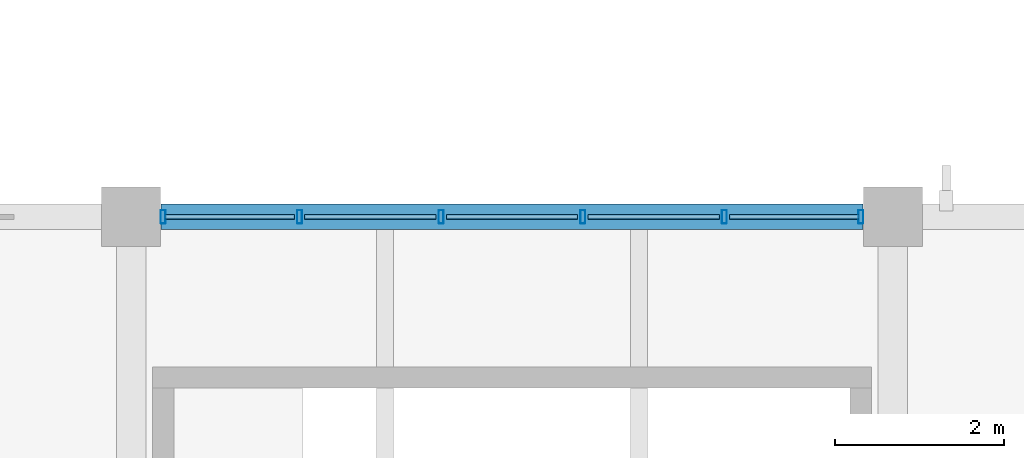
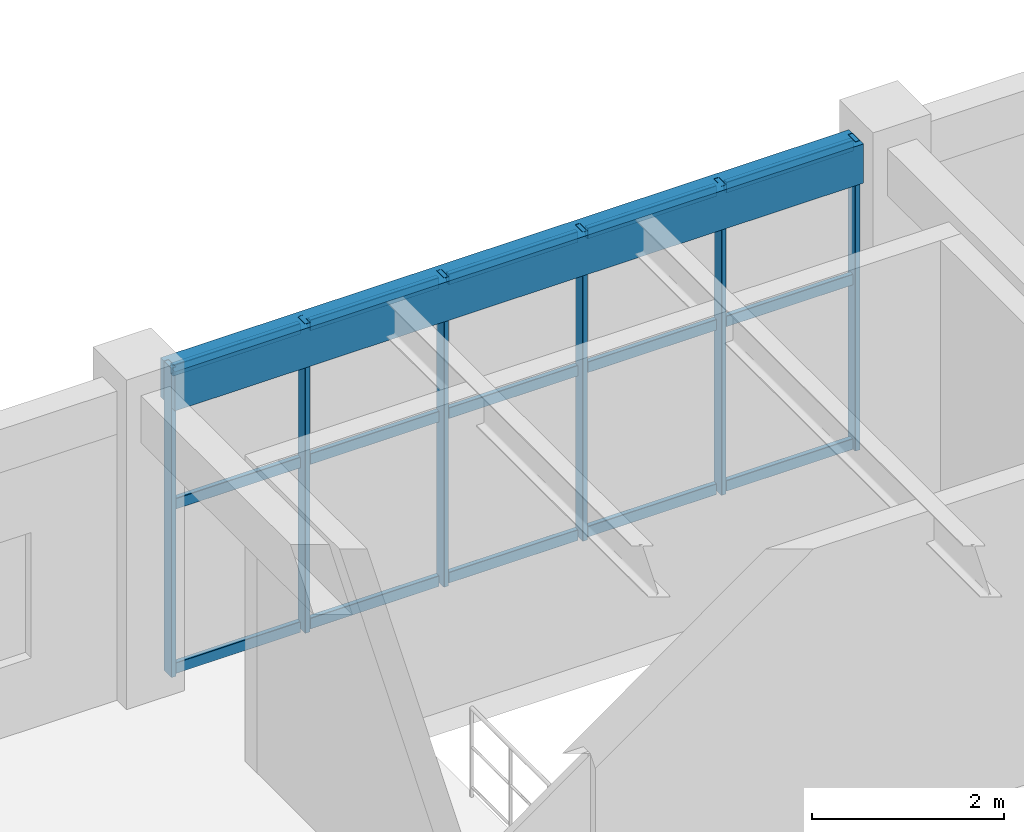
# One storey, part 64 of 128: 21 members, 1 beam, 1 element without a shape of its own.
"""IFC4 building model written with IfcOpenShell, lengths in metres."""

import ifcopenshell
import ifcopenshell.guid

model = None  # the IFC model being written
_history = None  # IfcOwnerHistory: only IFC2X3 demands one
_inside = {}  # id of a spatial element -> (the spatial element, [elements in it])
_under = {}  # id of a project, library or spatial element -> (it, [spatial elements below it])
_declared = {}  # id of a project -> (the project, [libraries it declares])
_typed = {}  # id of a type object -> (the type object, [elements of that type])
_made_of = {}  # id of a material, layer set ... -> (it, [elements and type objects made of it])


def new_model(schema):
    """Start an empty IFC model of exactly this schema.

    Asked for "IFC4X3", IfcOpenShell would pick the latest addendum, in which some entities
    have other attributes; the version numbers below select the first issue.
    IFC2X3 requires an IfcOwnerHistory on every rooted entity: one is made here for all.
    """
    global model, _history
    if schema == "IFC4X3":
        model = ifcopenshell.file(schema_version=(4, 3, 0, 0))
    else:
        model = ifcopenshell.file(schema=schema)
    _inside.clear()
    _under.clear()
    _declared.clear()
    _typed.clear()
    _made_of.clear()
    _history = None
    if model.schema == "IFC2X3":
        org = make("IfcOrganization", Name="unknown")
        user = make(
            "IfcPersonAndOrganization",
            ThePerson=make("IfcPerson", FamilyName="unknown"),
            TheOrganization=org,
        )
        app = make(
            "IfcApplication",
            ApplicationDeveloper=org,
            Version="unknown",
            ApplicationFullName="unknown",
            ApplicationIdentifier="unknown",
        )
        _history = make(
            "IfcOwnerHistory",
            OwningUser=user,
            OwningApplication=app,
            ChangeAction="ADDED",
            CreationDate=0,
        )
    return model


def make(cls, **values):
    """One entity of the class cls with the attributes given. An attribute that is None is left unset."""
    return model.create_entity(
        cls, **{name: value for name, value in values.items() if value is not None}
    )


def rooted(cls, **values):
    """An entity with a GlobalId (a new one), such as an element, a storey or a relation."""
    return make(cls, GlobalId=ifcopenshell.guid.new(), OwnerHistory=_history, **values)


def si_unit(unit_type, name, prefix=None):
    """IfcSIUnit, for example si_unit("LENGTHUNIT", "METRE", prefix="MILLI")."""
    return make("IfcSIUnit", UnitType=unit_type, Prefix=prefix, Name=name)


def derived_unit(unit_type, elements):
    """IfcDerivedUnit: a product of units, each with its exponent."""
    return make(
        "IfcDerivedUnit",
        Elements=[
            make("IfcDerivedUnitElement", Unit=unit, Exponent=power)
            for unit, power in elements
        ],
        UnitType=unit_type,
    )


def assignment(units):
    """IfcUnitAssignment: the units of a project."""
    return None if units is None else make("IfcUnitAssignment", Units=units)


def point(xyz):
    """IfcCartesianPoint."""
    return None if xyz is None else make("IfcCartesianPoint", Coordinates=xyz)


def direction(xyz):
    """IfcDirection."""
    return None if xyz is None else make("IfcDirection", DirectionRatios=xyz)


def frame(location, z_axis=None, x_axis=None):
    """IfcAxis2Placement3D, a coordinate frame: its origin and axes. An axis left out is left unset."""
    return make(
        "IfcAxis2Placement3D",
        Location=point(location),
        Axis=direction(z_axis),
        RefDirection=direction(x_axis),
    )


def frame_2d(location, x_axis=None):
    """IfcAxis2Placement2D, a coordinate frame in the plane: its origin and x axis."""
    return make(
        "IfcAxis2Placement2D", Location=point(location), RefDirection=direction(x_axis)
    )


def origin():
    """The frame at (0, 0, 0) with its axes left unset."""
    return frame((0.0, 0.0, 0.0))


def origin_2d():
    """The frame at (0, 0) in the plane with its x axis left unset."""
    return frame_2d((0.0, 0.0))


def place(relative_to, where):
    """IfcLocalPlacement: puts the frame where relative to a parent placement (None: the world)."""
    return make(
        "IfcLocalPlacement", PlacementRelTo=relative_to, RelativePlacement=where
    )


def context(
    kind, dimensions, precision=None, world=None, true_north=None, identifier=None
):
    """IfcGeometricRepresentationContext, for example the 3D "Model" context."""
    return make(
        "IfcGeometricRepresentationContext",
        ContextIdentifier=identifier,
        ContextType=kind,
        CoordinateSpaceDimension=dimensions,
        Precision=precision,
        WorldCoordinateSystem=world,
        TrueNorth=true_north,
    )


def subcontext(parent, identifier, kind, view, scale=None):
    """IfcGeometricRepresentationSubContext, for example "Body" below "Model"."""
    return make(
        "IfcGeometricRepresentationSubContext",
        ContextIdentifier=identifier,
        ContextType=kind,
        ParentContext=parent,
        TargetScale=scale,
        TargetView=view,
    )


def project(units=None, contexts=None):
    """IfcProject with its units and contexts."""
    return rooted(
        "IfcProject",
        Name="project",
        RepresentationContexts=contexts,
        UnitsInContext=assignment(units),
    )


def spatial(cls, under=None, at=None, **own):
    """A site, building, storey or space (cls), placed at a placement, below another one or the project."""
    s = rooted(cls, ObjectPlacement=at, **own)
    if under is not None:
        _under.setdefault(under.id(), (under, []))[1].append(s)
    return s


def profile(cls, at=None, kind="AREA", **sizes):
    """A parametric profile (cls). Its sizes go by their IFC names, for example OverallWidth=200.0."""
    return make(cls, ProfileType=kind, Position=at, **sizes)


def rectangle(**sizes):
    """IfcRectangleProfileDef."""
    return profile("IfcRectangleProfileDef", **sizes)


def hollow_rectangle(**sizes):
    """IfcRectangleHollowProfileDef."""
    return profile("IfcRectangleHollowProfileDef", **sizes)


def extrude(swept, where, along, depth):
    """IfcExtrudedAreaSolid: the profile swept, set in the frame where, extruded along a direction by depth."""
    return make(
        "IfcExtrudedAreaSolid",
        SweptArea=swept,
        Position=where,
        ExtrudedDirection=direction(along),
        Depth=depth,
    )


def shape(context_of_items, identifier, shape_type, items):
    """IfcShapeRepresentation: the items that make up one representation, for example the "Body"."""
    return make(
        "IfcShapeRepresentation",
        ContextOfItems=context_of_items,
        RepresentationIdentifier=identifier,
        RepresentationType=shape_type,
        Items=items,
    )


def material(Name=None, Category=None):
    """IfcMaterial."""
    return make("IfcMaterial", Name=Name, Category=Category)


def material_profile(
    of_material, cross_section, Name=None, Category=None, Priority=None
):
    """IfcMaterialProfile: a cross section and its material."""
    return make(
        "IfcMaterialProfile",
        Name=Name,
        Material=of_material,
        Profile=cross_section,
        Priority=Priority,
        Category=Category,
    )


def profile_set(profiles, Name=None, composite=None):
    """IfcMaterialProfileSet."""
    return make(
        "IfcMaterialProfileSet",
        Name=Name,
        MaterialProfiles=profiles,
        CompositeProfile=composite,
    )


def made_of(thing, what):
    """Note that an element or type object is made of a material, layer set ...; save() writes the relation."""
    if what is not None:
        _made_of.setdefault(what.id(), (what, []))[1].append(thing)
    return thing


def type_object(cls, material=None, **own):
    """A type object (cls), such as IfcWallType, which elements share."""
    return made_of(rooted(cls, **own), material)


def element(
    cls,
    number,
    at=None,
    inside=None,
    cuts=None,
    type_object=None,
    material=None,
    context=None,
    identifier="Body",
    shape_type=None,
    held_by="IfcProductDefinitionShape",
    body=None,
    shapes=None,
    **own,
):
    """One element of the class cls, such as IfcWall. Its Tag is "e" and its number.

    at: its placement. inside: the storey or other place that contains it. cuts: it is an
    opening in that element (IfcRelVoidsElement). A single representation is given by context,
    identifier, shape_type and body (its items); several are given by shapes. held_by: the class
    of the entity that holds the representations. save() writes the other relations.
    """
    e = rooted(cls, Tag="e%d" % number, ObjectPlacement=at, **own)
    if body is not None:
        shapes = [shape(context, identifier, shape_type, body)]
    if shapes is not None:
        e.Representation = make(held_by, Representations=shapes)
    if inside is not None:
        _inside.setdefault(inside.id(), (inside, []))[1].append(e)
    if cuts is not None:
        rooted(
            "IfcRelVoidsElement", RelatingBuildingElement=cuts, RelatedOpeningElement=e
        )
    if type_object is not None:
        _typed.setdefault(type_object.id(), (type_object, []))[1].append(e)
    return made_of(e, material)


def aggregate(whole, parts):
    """IfcRelAggregates: a whole, such as a stair, and the parts it consists of."""
    return rooted("IfcRelAggregates", RelatingObject=whole, RelatedObjects=parts)


def save(model, path):
    """Write the relations noted so far, then the file.

    IfcRelAggregates (storeys below a building ...), IfcRelContainedInSpatialStructure (elements
    in a storey), IfcRelDefinesByType, IfcRelAssociatesMaterial and IfcRelDeclares: one each for
    every whole, place, type object, material and project.
    """
    for whole, parts in _under.values():
        aggregate(whole, parts)
    for where, things in _inside.values():
        rooted(
            "IfcRelContainedInSpatialStructure",
            RelatedElements=things,
            RelatingStructure=where,
        )
    for kind, things in _typed.values():
        rooted("IfcRelDefinesByType", RelatedObjects=things, RelatingType=kind)
    for what, things in _made_of.values():
        rooted("IfcRelAssociatesMaterial", RelatedObjects=things, RelatingMaterial=what)
    for by, libraries in _declared.values():
        rooted("IfcRelDeclares", RelatingContext=by, RelatedDefinitions=libraries)
    model.write(path)


model = new_model("IFC4")

# Units and contexts
model_context = context("Model", 3, precision=1e-05, world=origin(), true_north=direction((0.0, 1.0)))
body_context = subcontext(model_context, "Body", "Model", "MODEL_VIEW")
ifc_project = project(units=[si_unit("LENGTHUNIT", "METRE"), si_unit("AREAUNIT", "SQUARE_METRE"), si_unit("VOLUMEUNIT", "CUBIC_METRE"), si_unit("PLANEANGLEUNIT", "RADIAN"), si_unit("MASSUNIT", "GRAM", prefix="KILO"), derived_unit("THERMALTRANSMITTANCEUNIT", [(si_unit("MASSUNIT", "GRAM", prefix="KILO"), 1), (si_unit("TIMEUNIT", "SECOND"), -3), (si_unit("THERMODYNAMICTEMPERATUREUNIT", "KELVIN"), -1)])], contexts=[model_context])

# Site, building, storey
site_placement = place(None, origin())
site = spatial("IfcSite", under=ifc_project, at=site_placement, CompositionType="ELEMENT")
building_placement = place(site_placement, origin())
building = spatial("IfcBuilding", under=site, at=building_placement, Name="Zhenchuan Archway Interchange", CompositionType="ELEMENT")
storey_placement = place(building_placement, frame((0.0, 0.0, 14.39990234375)))
storey = spatial("IfcBuildingStorey", under=building, at=storey_placement, Name="L03", CompositionType="ELEMENT", Elevation=14.39990234375)

# Curtain wall, members
ifc_material_1 = material(Name="Anodised Aluminium", Category="aluminium")
curtain_wall_type = type_object("IfcCurtainWallType", Name="CW_UNIT_4", PredefinedType="NOTDEFINED", material=ifc_material_1)
curtain_wall_placement = place(storey_placement, origin())
curtain_wall = element("IfcCurtainWall", 1, at=curtain_wall_placement, inside=storey, type_object=curtain_wall_type, Name="Unitised curtain wall CW:L03:175", PredefinedType="NOTDEFINED")
ifc_material_profile_1 = material_profile(ifc_material_1, hollow_rectangle(XDim=0.06005859375, YDim=0.159912109375, WallThickness=0.00390625, InnerFilletRadius=0.00390625, OuterFilletRadius=0.008056640625, at=origin_2d()), Name="ALU 160x60x4")
ifc_profile_set_1 = profile_set([ifc_material_profile_1], Name="Anodised Aluminium")
member_type_1 = type_object("IfcMemberType", Name="CW_MUL_150", PredefinedType="MULLION", material=ifc_profile_set_1)
member_1_placement = place(storey_placement, frame((117.3779296875, 104.0, 0.0), z_axis=(0.0, 0.0, 1.0), x_axis=(1.0, 0.0, 0.0)))
member_1 = element("IfcMember", 2, at=member_1_placement, type_object=member_type_1, Name="CW:L03:175 mullion 0", PredefinedType="MULLION", context=body_context, shape_type="SweptSolid", body=[
    extrude(hollow_rectangle(XDim=0.06005859375, YDim=0.159912109375, WallThickness=0.00390625, InnerFilletRadius=0.00390625, OuterFilletRadius=0.008056640625, at=origin_2d()), origin(), (0.0, 0.0, 1.0), 3.940185546875),
])
member_2_placement = place(storey_placement, frame((118.99072265625, 104.0, 0.0), z_axis=(0.0, 0.0, 1.0), x_axis=(1.0, 0.0, 0.0)))
member_2 = element("IfcMember", 3, at=member_2_placement, type_object=member_type_1, Name="CW:L03:175 mullion 1", PredefinedType="MULLION", context=body_context, shape_type="SweptSolid", body=[
    extrude(hollow_rectangle(XDim=0.06005859375, YDim=0.159912109375, WallThickness=0.00390625, InnerFilletRadius=0.00390625, OuterFilletRadius=0.008056640625, at=origin_2d()), origin(), (0.0, 0.0, 1.0), 3.940185546875),
])
member_3_placement = place(storey_placement, frame((120.66357421875, 104.0, 0.0), z_axis=(0.0, 0.0, 1.0), x_axis=(1.0, 0.0, 0.0)))
member_3 = element("IfcMember", 4, at=member_3_placement, type_object=member_type_1, Name="CW:L03:175 mullion 2", PredefinedType="MULLION", context=body_context, shape_type="SweptSolid", body=[
    extrude(hollow_rectangle(XDim=0.06005859375, YDim=0.159912109375, WallThickness=0.00390625, InnerFilletRadius=0.00390625, OuterFilletRadius=0.008056640625, at=origin_2d()), origin(), (0.0, 0.0, 1.0), 3.940185546875),
])
member_4_placement = place(storey_placement, frame((122.33642578125, 104.0, 0.0), z_axis=(0.0, 0.0, 1.0), x_axis=(1.0, 0.0, 0.0)))
member_4 = element("IfcMember", 5, at=member_4_placement, type_object=member_type_1, Name="CW:L03:175 mullion 3", PredefinedType="MULLION", context=body_context, shape_type="SweptSolid", body=[
    extrude(hollow_rectangle(XDim=0.06005859375, YDim=0.159912109375, WallThickness=0.00390625, InnerFilletRadius=0.00390625, OuterFilletRadius=0.008056640625, at=origin_2d()), origin(), (0.0, 0.0, 1.0), 3.940185546875),
])
member_5_placement = place(storey_placement, frame((124.00927734375, 104.0, 0.0), z_axis=(0.0, 0.0, 1.0), x_axis=(1.0, 0.0, 0.0)))
member_5 = element("IfcMember", 6, at=member_5_placement, type_object=member_type_1, Name="CW:L03:175 mullion 4", PredefinedType="MULLION", context=body_context, shape_type="SweptSolid", body=[
    extrude(hollow_rectangle(XDim=0.06005859375, YDim=0.159912109375, WallThickness=0.00390625, InnerFilletRadius=0.00390625, OuterFilletRadius=0.008056640625, at=origin_2d()), origin(), (0.0, 0.0, 1.0), 3.940185546875),
])
member_6_placement = place(storey_placement, frame((125.6220703125, 104.0, 0.0), z_axis=(0.0, 0.0, 1.0), x_axis=(1.0, 0.0, 0.0)))
member_6 = element("IfcMember", 7, at=member_6_placement, type_object=member_type_1, Name="CW:L03:175 mullion 5", PredefinedType="MULLION", context=body_context, shape_type="SweptSolid", body=[
    extrude(hollow_rectangle(XDim=0.06005859375, YDim=0.159912109375, WallThickness=0.00390625, InnerFilletRadius=0.00390625, OuterFilletRadius=0.008056640625, at=origin_2d()), origin(), (0.0, 0.0, 1.0), 3.940185546875),
])
ifc_material_profile_2 = material_profile(ifc_material_1, hollow_rectangle(XDim=0.06005859375, YDim=0.139892578125, WallThickness=0.00341796875, InnerFilletRadius=0.00341796875, OuterFilletRadius=0.007080078125, at=origin_2d()), Name="ALU 140x60x3.5")
ifc_profile_set_2 = profile_set([ifc_material_profile_2], Name="Anodised Aluminium")
member_type_2 = type_object("IfcMemberType", Name="CW_TRN_140", PredefinedType="USERDEFINED", material=ifc_profile_set_2)
member_7_placement = place(storey_placement, frame((117.39794921875, 104.0, 0.06005859375), z_axis=(1.0, 0.0, 0.0), x_axis=(0.0, 1.0, 0.0)))
member_7 = element("IfcMember", 8, at=member_7_placement, type_object=member_type_2, Name="CW:L03:175 transom 0-1", ObjectType="TRANSOM", PredefinedType="USERDEFINED", context=body_context, shape_type="SweptSolid", body=[
    extrude(hollow_rectangle(XDim=0.06005859375, YDim=0.139892578125, WallThickness=0.00341796875, InnerFilletRadius=0.00341796875, OuterFilletRadius=0.007080078125, at=origin_2d()), origin(), (0.0, 0.0, 1.0), 1.532958984375),
])
member_8_placement = place(storey_placement, frame((117.39794921875, 104.0, 2.156005859375), z_axis=(1.0, 0.0, 0.0), x_axis=(0.0, 1.0, 0.0)))
member_8 = element("IfcMember", 9, at=member_8_placement, type_object=member_type_2, Name="CW:L03:175 transom 0-2", ObjectType="TRANSOM", PredefinedType="USERDEFINED", context=body_context, shape_type="SweptSolid", body=[
    extrude(hollow_rectangle(XDim=0.06005859375, YDim=0.139892578125, WallThickness=0.00341796875, InnerFilletRadius=0.00341796875, OuterFilletRadius=0.007080078125, at=origin_2d()), origin(), (0.0, 0.0, 1.0), 1.532958984375),
])
member_9_placement = place(storey_placement, frame((117.39794921875, 104.0, 3.860107421875), z_axis=(1.0, 0.0, 0.0), x_axis=(0.0, 1.0, 0.0)))
member_9 = element("IfcMember", 10, at=member_9_placement, type_object=member_type_2, Name="CW:L03:175 transom 0-3", ObjectType="TRANSOM", PredefinedType="USERDEFINED", context=body_context, shape_type="SweptSolid", body=[
    extrude(hollow_rectangle(XDim=0.06005859375, YDim=0.139892578125, WallThickness=0.00341796875, InnerFilletRadius=0.00341796875, OuterFilletRadius=0.007080078125, at=origin_2d()), origin(), (0.0, 0.0, 1.0), 1.532958984375),
])
member_10_placement = place(storey_placement, frame((119.05078125, 104.0, 0.06005859375), z_axis=(1.0, 0.0, 0.0), x_axis=(0.0, 1.0, 0.0)))
member_10 = element("IfcMember", 11, at=member_10_placement, type_object=member_type_2, Name="CW:L03:175 transom 1-1", ObjectType="TRANSOM", PredefinedType="USERDEFINED", context=body_context, shape_type="SweptSolid", body=[
    extrude(hollow_rectangle(XDim=0.06005859375, YDim=0.139892578125, WallThickness=0.00341796875, InnerFilletRadius=0.00341796875, OuterFilletRadius=0.007080078125, at=origin_2d()), origin(), (0.0, 0.0, 1.0), 1.552734375),
])
member_11_placement = place(storey_placement, frame((119.05078125, 104.0, 2.156005859375), z_axis=(1.0, 0.0, 0.0), x_axis=(0.0, 1.0, 0.0)))
member_11 = element("IfcMember", 12, at=member_11_placement, type_object=member_type_2, Name="CW:L03:175 transom 1-2", ObjectType="TRANSOM", PredefinedType="USERDEFINED", context=body_context, shape_type="SweptSolid", body=[
    extrude(hollow_rectangle(XDim=0.06005859375, YDim=0.139892578125, WallThickness=0.00341796875, InnerFilletRadius=0.00341796875, OuterFilletRadius=0.007080078125, at=origin_2d()), origin(), (0.0, 0.0, 1.0), 1.552734375),
])
member_12_placement = place(storey_placement, frame((119.05078125, 104.0, 3.860107421875), z_axis=(1.0, 0.0, 0.0), x_axis=(0.0, 1.0, 0.0)))
member_12 = element("IfcMember", 13, at=member_12_placement, type_object=member_type_2, Name="CW:L03:175 transom 1-3", ObjectType="TRANSOM", PredefinedType="USERDEFINED", context=body_context, shape_type="SweptSolid", body=[
    extrude(hollow_rectangle(XDim=0.06005859375, YDim=0.139892578125, WallThickness=0.00341796875, InnerFilletRadius=0.00341796875, OuterFilletRadius=0.007080078125, at=origin_2d()), origin(), (0.0, 0.0, 1.0), 1.552734375),
])
member_13_placement = place(storey_placement, frame((120.7236328125, 104.0, 0.06005859375), z_axis=(1.0, 0.0, 0.0), x_axis=(0.0, 1.0, 0.0)))
member_13 = element("IfcMember", 14, at=member_13_placement, type_object=member_type_2, Name="CW:L03:175 transom 2-1", ObjectType="TRANSOM", PredefinedType="USERDEFINED", context=body_context, shape_type="SweptSolid", body=[
    extrude(hollow_rectangle(XDim=0.06005859375, YDim=0.139892578125, WallThickness=0.00341796875, InnerFilletRadius=0.00341796875, OuterFilletRadius=0.007080078125, at=origin_2d()), origin(), (0.0, 0.0, 1.0), 1.552734375),
])
member_14_placement = place(storey_placement, frame((120.7236328125, 104.0, 2.156005859375), z_axis=(1.0, 0.0, 0.0), x_axis=(0.0, 1.0, 0.0)))
member_14 = element("IfcMember", 15, at=member_14_placement, type_object=member_type_2, Name="CW:L03:175 transom 2-2", ObjectType="TRANSOM", PredefinedType="USERDEFINED", context=body_context, shape_type="SweptSolid", body=[
    extrude(hollow_rectangle(XDim=0.06005859375, YDim=0.139892578125, WallThickness=0.00341796875, InnerFilletRadius=0.00341796875, OuterFilletRadius=0.007080078125, at=origin_2d()), origin(), (0.0, 0.0, 1.0), 1.552734375),
])
member_15_placement = place(storey_placement, frame((120.7236328125, 104.0, 3.860107421875), z_axis=(1.0, 0.0, 0.0), x_axis=(0.0, 1.0, 0.0)))
member_15 = element("IfcMember", 16, at=member_15_placement, type_object=member_type_2, Name="CW:L03:175 transom 2-3", ObjectType="TRANSOM", PredefinedType="USERDEFINED", context=body_context, shape_type="SweptSolid", body=[
    extrude(hollow_rectangle(XDim=0.06005859375, YDim=0.139892578125, WallThickness=0.00341796875, InnerFilletRadius=0.00341796875, OuterFilletRadius=0.007080078125, at=origin_2d()), origin(), (0.0, 0.0, 1.0), 1.552734375),
])
member_16_placement = place(storey_placement, frame((122.396484375, 104.0, 0.06005859375), z_axis=(1.0, 0.0, 0.0), x_axis=(0.0, 1.0, 0.0)))
member_16 = element("IfcMember", 17, at=member_16_placement, type_object=member_type_2, Name="CW:L03:175 transom 3-1", ObjectType="TRANSOM", PredefinedType="USERDEFINED", context=body_context, shape_type="SweptSolid", body=[
    extrude(hollow_rectangle(XDim=0.06005859375, YDim=0.139892578125, WallThickness=0.00341796875, InnerFilletRadius=0.00341796875, OuterFilletRadius=0.007080078125, at=origin_2d()), origin(), (0.0, 0.0, 1.0), 1.552734375),
])
member_17_placement = place(storey_placement, frame((122.396484375, 104.0, 2.156005859375), z_axis=(1.0, 0.0, 0.0), x_axis=(0.0, 1.0, 0.0)))
member_17 = element("IfcMember", 18, at=member_17_placement, type_object=member_type_2, Name="CW:L03:175 transom 3-2", ObjectType="TRANSOM", PredefinedType="USERDEFINED", context=body_context, shape_type="SweptSolid", body=[
    extrude(hollow_rectangle(XDim=0.06005859375, YDim=0.139892578125, WallThickness=0.00341796875, InnerFilletRadius=0.00341796875, OuterFilletRadius=0.007080078125, at=origin_2d()), origin(), (0.0, 0.0, 1.0), 1.552734375),
])
member_18_placement = place(storey_placement, frame((122.396484375, 104.0, 3.860107421875), z_axis=(1.0, 0.0, 0.0), x_axis=(0.0, 1.0, 0.0)))
member_18 = element("IfcMember", 19, at=member_18_placement, type_object=member_type_2, Name="CW:L03:175 transom 3-3", ObjectType="TRANSOM", PredefinedType="USERDEFINED", context=body_context, shape_type="SweptSolid", body=[
    extrude(hollow_rectangle(XDim=0.06005859375, YDim=0.139892578125, WallThickness=0.00341796875, InnerFilletRadius=0.00341796875, OuterFilletRadius=0.007080078125, at=origin_2d()), origin(), (0.0, 0.0, 1.0), 1.552734375),
])
member_19_placement = place(storey_placement, frame((124.069091796875, 104.0, 0.06005859375), z_axis=(1.0, 0.0, 0.0), x_axis=(0.0, 1.0, 0.0)))
member_19 = element("IfcMember", 20, at=member_19_placement, type_object=member_type_2, Name="CW:L03:175 transom 4-1", ObjectType="TRANSOM", PredefinedType="USERDEFINED", context=body_context, shape_type="SweptSolid", body=[
    extrude(hollow_rectangle(XDim=0.06005859375, YDim=0.139892578125, WallThickness=0.00341796875, InnerFilletRadius=0.00341796875, OuterFilletRadius=0.007080078125, at=origin_2d()), origin(), (0.0, 0.0, 1.0), 1.532958984375),
])
member_20_placement = place(storey_placement, frame((124.069091796875, 104.0, 2.156005859375), z_axis=(1.0, 0.0, 0.0), x_axis=(0.0, 1.0, 0.0)))
member_20 = element("IfcMember", 21, at=member_20_placement, type_object=member_type_2, Name="CW:L03:175 transom 4-2", ObjectType="TRANSOM", PredefinedType="USERDEFINED", context=body_context, shape_type="SweptSolid", body=[
    extrude(hollow_rectangle(XDim=0.06005859375, YDim=0.139892578125, WallThickness=0.00341796875, InnerFilletRadius=0.00341796875, OuterFilletRadius=0.007080078125, at=origin_2d()), origin(), (0.0, 0.0, 1.0), 1.532958984375),
])
member_21_placement = place(storey_placement, frame((124.069091796875, 104.0, 3.860107421875), z_axis=(1.0, 0.0, 0.0), x_axis=(0.0, 1.0, 0.0)))
member_21 = element("IfcMember", 22, at=member_21_placement, type_object=member_type_2, Name="CW:L03:175 transom 4-3", ObjectType="TRANSOM", PredefinedType="USERDEFINED", context=body_context, shape_type="SweptSolid", body=[
    extrude(hollow_rectangle(XDim=0.06005859375, YDim=0.139892578125, WallThickness=0.00341796875, InnerFilletRadius=0.00341796875, OuterFilletRadius=0.007080078125, at=origin_2d()), origin(), (0.0, 0.0, 1.0), 1.532958984375),
])
aggregate(curtain_wall, [member_1, member_2, member_3, member_4, member_5, member_6, member_7, member_8, member_9, member_10, member_11, member_12, member_13, member_14, member_15, member_16, member_17, member_18, member_19, member_20, member_21])

# Beam
ifc_material_2 = material(Name="Concrete C40", Category="concrete")
ifc_material_profile_3 = material_profile(ifc_material_2, rectangle(XDim=0.300048828125, YDim=0.5, at=origin_2d()), Name="RC 300x500")
ifc_profile_set_3 = profile_set([ifc_material_profile_3], Name="Concrete C40")
beam_type = type_object("IfcBeamType", Name="SP_RC_300x500", PredefinedType="SPANDREL", material=ifc_profile_set_3)
beam_placement = place(storey_placement, frame((117.35009765625, 104.0, 3.690185546875), z_axis=(1.0, 0.0, 0.0), x_axis=(0.0, 1.0, 0.0)))
element("IfcBeam", 23, at=beam_placement, inside=storey, type_object=beam_type, Name="Beam O:14-15 (L03)", PredefinedType="SPANDREL", context=body_context, shape_type="SweptSolid", body=[
    extrude(rectangle(XDim=0.300048828125, YDim=0.5, at=origin_2d()), origin(), (0.0, 0.0, 1.0), 8.2998046875),
])

save(model, "model.ifc")
